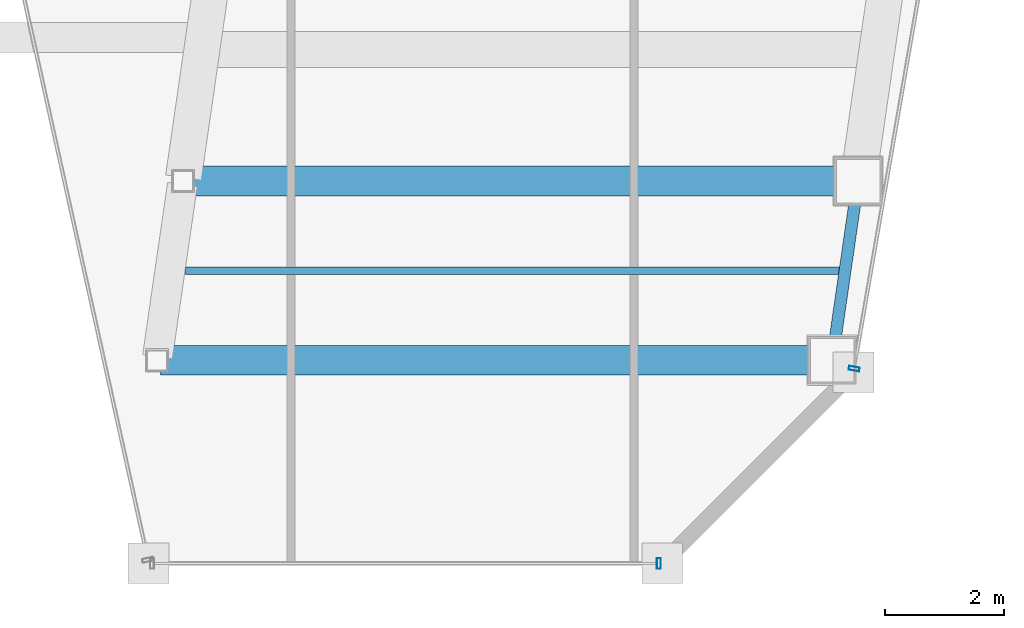
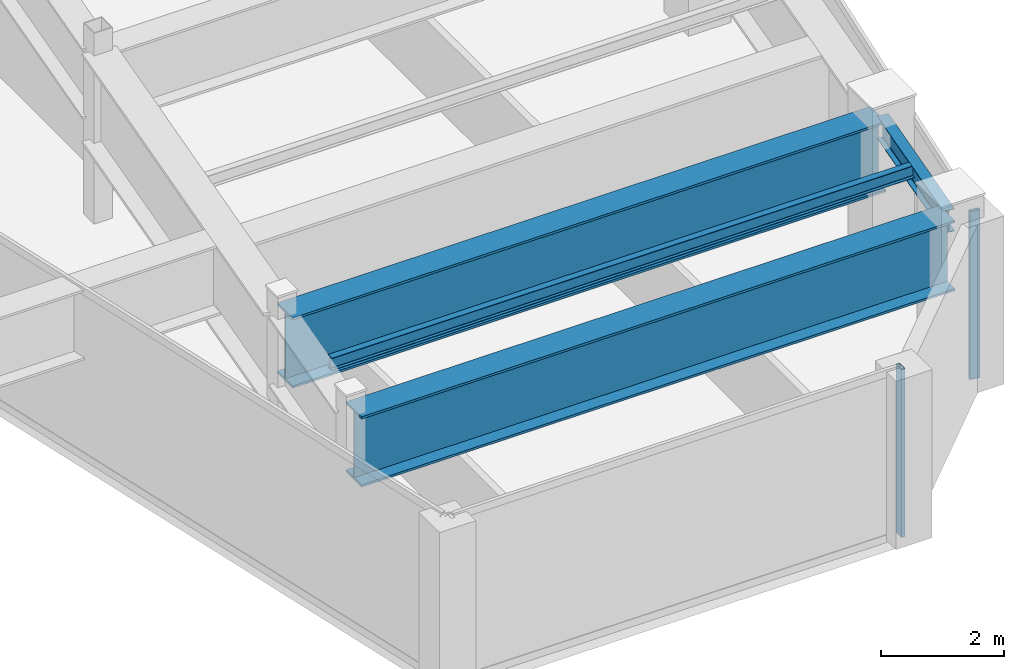
# One storey, part 16 of 35: 4 beams, 2 members, 2 elements without a shape of their own.
"""IFC4 building model written with IfcOpenShell, lengths in metres."""

from ifc_helpers import new_model, si_unit, direction, frame, origin, origin_2d, place, context, subcontext, project, spatial, hollow_rectangle, i_section, extrude, material, material_profile, profile_set, type_object, element, aggregate, save


model = new_model("IFC4")

# Units and contexts
model_context = context("Model", 3, precision=1e-05, world=origin(), true_north=direction((0.0, 1.0)))
body_context = subcontext(model_context, "Body", "Model", "MODEL_VIEW")
ifc_project = project(units=[si_unit("LENGTHUNIT", "METRE"), si_unit("AREAUNIT", "SQUARE_METRE"), si_unit("VOLUMEUNIT", "CUBIC_METRE"), si_unit("PLANEANGLEUNIT", "RADIAN"), si_unit("MASSUNIT", "GRAM", prefix="KILO")], contexts=[model_context])

# Site, building, storey
site_placement = place(None, origin())
site = spatial("IfcSite", under=ifc_project, at=site_placement, CompositionType="ELEMENT")
building_placement = place(site_placement, origin())
building = spatial("IfcBuilding", under=site, at=building_placement, Name="Saevonmaru Cultural Tower", CompositionType="ELEMENT")
storey_placement = place(building_placement, frame((0.0, 0.0, 249.60009765625)))
storey = spatial("IfcBuildingStorey", under=building, at=storey_placement, Name="L58", CompositionType="ELEMENT", Elevation=249.60009765625)

# Beams
ifc_material_1 = material(Name="Steel SM355", Category="steel")
ifc_material_profile_1 = material_profile(ifc_material_1, i_section(OverallWidth=0.125, OverallDepth=0.25, WebThickness=0.006103515625, FlangeThickness=0.009033203125, FilletRadius=0.008056640625, at=origin_2d()), Name="H-250x125x6x9")
ifc_profile_set_1 = profile_set([ifc_material_profile_1], Name="Steel SM355")
beam_type_1 = type_object("IfcBeamType", Name="BM-J-H250", PredefinedType="JOIST", material=ifc_profile_set_1)
beam_1_placement = place(storey_placement, frame((39.26904296875, 22.5, 3.224853515625), z_axis=(1.0, 0.0, 0.0), x_axis=(0.0, 1.0, 0.0)))
element("IfcBeam", 1, at=beam_1_placement, inside=storey, type_object=beam_type_1, Name="L58 East Wing Floor Joist 1", PredefinedType="JOIST", context=body_context, shape_type="SweptSolid", body=[
    extrude(i_section(OverallWidth=0.125, OverallDepth=0.25, WebThickness=0.006103515625, FlangeThickness=0.009033203125, FilletRadius=0.008056640625, at=origin_2d()), origin(), (0.0, 0.0, 1.0), 10.98193359375),
])
ifc_material_profile_2 = material_profile(ifc_material_1, i_section(OverallWidth=0.199951171875, OverallDepth=0.449951171875, WebThickness=0.009033203125, FlangeThickness=0.013916015625, FilletRadius=0.01806640625, at=origin_2d()), Name="H-450x200x9x14")
ifc_profile_set_2 = profile_set([ifc_material_profile_2], Name="Steel SM355")
beam_type_2 = type_object("IfcBeamType", Name="BM-SP-H450", PredefinedType="SPANDREL", material=ifc_profile_set_2)
beam_2_placement = place(storey_placement, frame((50.1025390625, 21.059326171875, 3.125), z_axis=(0.143146955239, 0.98970144448, 0.0), x_axis=(-0.98970144448, 0.143146955239, 0.0)))
element("IfcBeam", 2, at=beam_2_placement, inside=storey, type_object=beam_type_2, Name="L58 East Splayed Spandrel 1", PredefinedType="SPANDREL", context=body_context, shape_type="SweptSolid", body=[
    extrude(i_section(OverallWidth=0.199951171875, OverallDepth=0.449951171875, WebThickness=0.009033203125, FlangeThickness=0.013916015625, FilletRadius=0.01806640625, at=origin_2d()), origin(), (0.0, 0.0, 1.0), 2.911376953125),
])
ifc_material_2 = material(Name="Steel HSA600 (600 MPa)", Category="steel")
ifc_material_profile_3 = material_profile(ifc_material_2, i_section(OverallWidth=0.5, OverallDepth=1.39990234375, WebThickness=0.02392578125, FlangeThickness=0.044921875, at=origin_2d()), Name="PG-1400x500x24x45")
ifc_profile_set_3 = profile_set([ifc_material_profile_3], Name="Steel HSA600 (600 MPa)")
beam_type_3 = type_object("IfcBeamType", Name="BM-TG-PG1400", PredefinedType="BEAM", material=ifc_profile_set_3)
for number, where, z_axis, x_axis, name in (
    (3, (38.85400390625, 21.0, 2.64990234375), (1.0, 0.0, 0.0), (0.0, 1.0, 0.0), "L58 East Wing Transverse Girder 1"),
    (4, (39.2880859375, 24.0, 2.64990234375), (1.0, 0.0, 0.0), (0.0, 1.0, 0.0), "L58 East Wing Transverse Girder 2"),
):
    element("IfcBeam", number, at=place(storey_placement, frame(where, z_axis=z_axis, x_axis=x_axis)), inside=storey, type_object=beam_type_3, Name=name, PredefinedType="BEAM", context=body_context, shape_type="SweptSolid", body=[
        extrude(i_section(OverallWidth=0.5, OverallDepth=1.39990234375, WebThickness=0.02392578125, FlangeThickness=0.044921875, at=origin_2d()), origin(), (0.0, 0.0, 1.0), 11.179931640625),
    ])

# Curtain wall, member
ifc_material_3 = material(Name="Satin Bronze Anodised Aluminium", Category="aluminium")
curtain_wall_type = type_object("IfcCurtainWallType", Name="CW-TYP-B", PredefinedType="NOTDEFINED", material=ifc_material_3)
curtain_wall_1_placement = place(storey_placement, origin())
curtain_wall_1 = element("IfcCurtainWall", 5, at=curtain_wall_1_placement, inside=storey, type_object=curtain_wall_type, Name="L58 Unitised Curtain Wall E6", PredefinedType="NOTDEFINED")
ifc_material_profile_4 = material_profile(ifc_material_3, hollow_rectangle(XDim=0.06494140625, YDim=0.179931640625, WallThickness=0.00390625, at=origin_2d()), Name="ALU-MULL-180x65x4")
ifc_profile_set_4 = profile_set([ifc_material_profile_4], Name="Satin Bronze Anodised Aluminium")
member_type = type_object("IfcMemberType", Name="ML-CW-180x65", PredefinedType="MULLION", material=ifc_profile_set_4)
member_1_placement = place(storey_placement, frame((47.193359375, 17.60009765625, 0.0), z_axis=(0.0, 0.0, 1.0), x_axis=(1.0, 0.0, 0.0)))
member_1 = element("IfcMember", 6, at=member_1_placement, type_object=member_type, Name="CW-TW-L58-E6 mullion 2", PredefinedType="MULLION", context=body_context, shape_type="SweptSolid", body=[
    extrude(hollow_rectangle(XDim=0.06494140625, YDim=0.179931640625, WallThickness=0.00390625, at=origin_2d()), origin(), (0.0, 0.0, 1.0), 3.349853515625),
])
aggregate(curtain_wall_1, [member_1])

curtain_wall_2_placement = place(storey_placement, origin())
curtain_wall_2 = element("IfcCurtainWall", 7, at=curtain_wall_2_placement, inside=storey, type_object=curtain_wall_type, Name="L58 Unitised Curtain Wall E8", PredefinedType="NOTDEFINED")
member_2_placement = place(storey_placement, frame((50.46337890625, 20.859130859375, 0.0), z_axis=(0.0, 0.0, 1.0), x_axis=(0.170790369887, 0.985307388359, 0.0)))
member_2 = element("IfcMember", 8, at=member_2_placement, type_object=member_type, Name="CW-TW-L58-E8 mullion 1", PredefinedType="MULLION", context=body_context, shape_type="SweptSolid", body=[
    extrude(hollow_rectangle(XDim=0.06494140625, YDim=0.179931640625, WallThickness=0.00390625, at=origin_2d()), origin(), (0.0, 0.0, 1.0), 3.349853515625),
])
aggregate(curtain_wall_2, [member_2])

save(model, "model.ifc")
